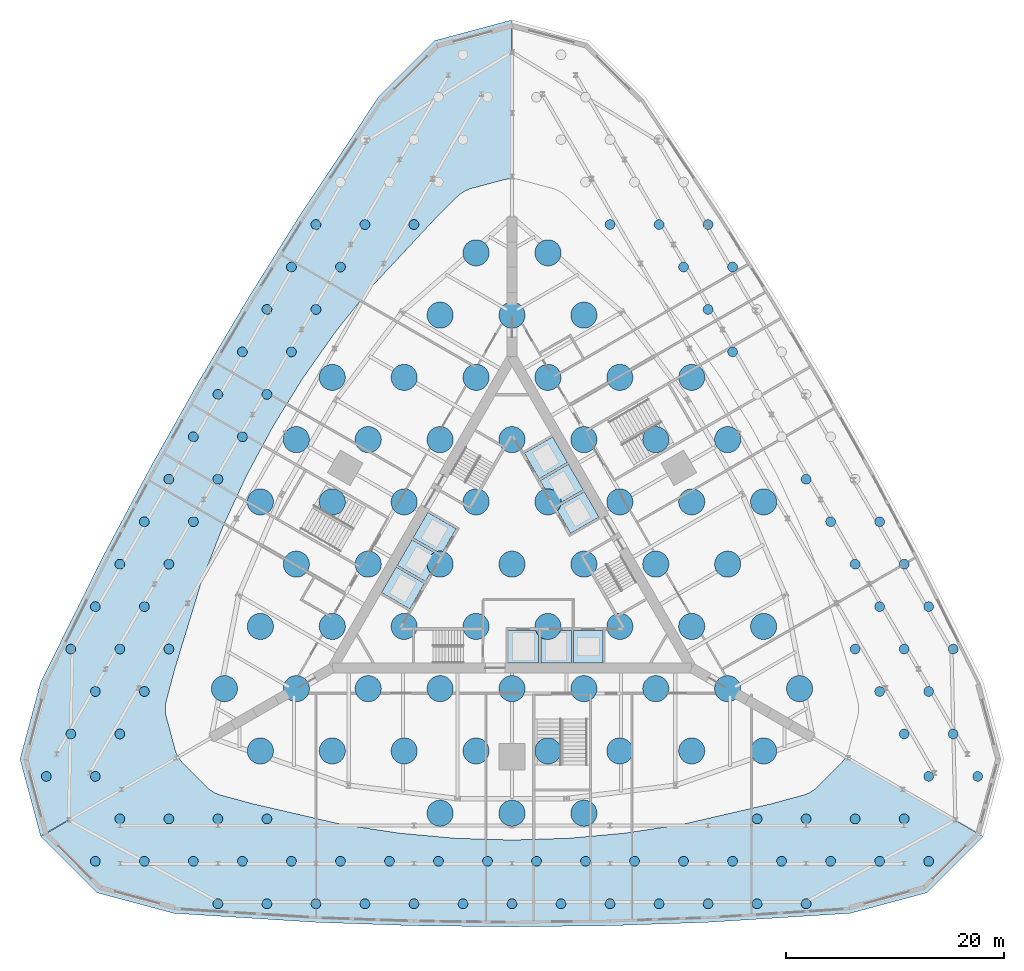
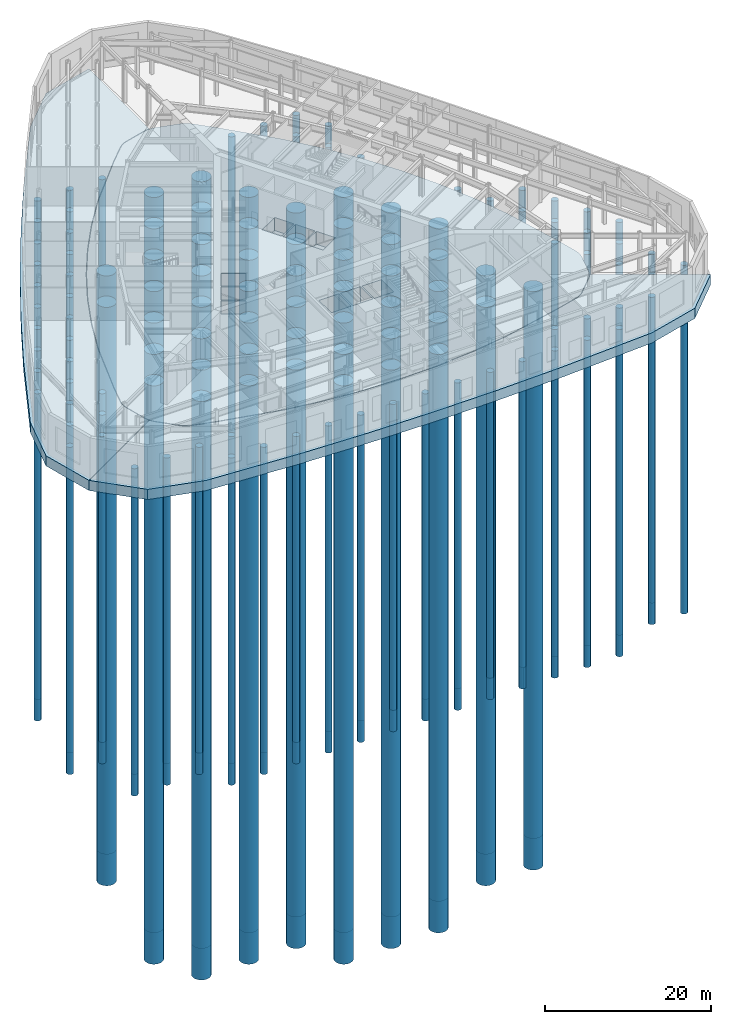
# One storey, part 1 of 17: 153 piles, 3 footings, 9 openings.
"""IFC4 building model written with IfcOpenShell, lengths in metres."""

import ifcopenshell
import ifcopenshell.guid

model = None  # the IFC model being written
_history = None  # IfcOwnerHistory: only IFC2X3 demands one
_inside = {}  # id of a spatial element -> (the spatial element, [elements in it])
_under = {}  # id of a project, library or spatial element -> (it, [spatial elements below it])
_declared = {}  # id of a project -> (the project, [libraries it declares])
_typed = {}  # id of a type object -> (the type object, [elements of that type])
_made_of = {}  # id of a material, layer set ... -> (it, [elements and type objects made of it])


def new_model(schema):
    """Start an empty IFC model of exactly this schema.

    Asked for "IFC4X3", IfcOpenShell would pick the latest addendum, in which some entities
    have other attributes; the version numbers below select the first issue.
    IFC2X3 requires an IfcOwnerHistory on every rooted entity: one is made here for all.
    """
    global model, _history
    if schema == "IFC4X3":
        model = ifcopenshell.file(schema_version=(4, 3, 0, 0))
    else:
        model = ifcopenshell.file(schema=schema)
    _inside.clear()
    _under.clear()
    _declared.clear()
    _typed.clear()
    _made_of.clear()
    _history = None
    if model.schema == "IFC2X3":
        org = make("IfcOrganization", Name="unknown")
        user = make(
            "IfcPersonAndOrganization",
            ThePerson=make("IfcPerson", FamilyName="unknown"),
            TheOrganization=org,
        )
        app = make(
            "IfcApplication",
            ApplicationDeveloper=org,
            Version="unknown",
            ApplicationFullName="unknown",
            ApplicationIdentifier="unknown",
        )
        _history = make(
            "IfcOwnerHistory",
            OwningUser=user,
            OwningApplication=app,
            ChangeAction="ADDED",
            CreationDate=0,
        )
    return model


def make(cls, **values):
    """One entity of the class cls with the attributes given. An attribute that is None is left unset."""
    return model.create_entity(
        cls, **{name: value for name, value in values.items() if value is not None}
    )


def rooted(cls, **values):
    """An entity with a GlobalId (a new one), such as an element, a storey or a relation."""
    return make(cls, GlobalId=ifcopenshell.guid.new(), OwnerHistory=_history, **values)


def si_unit(unit_type, name, prefix=None):
    """IfcSIUnit, for example si_unit("LENGTHUNIT", "METRE", prefix="MILLI")."""
    return make("IfcSIUnit", UnitType=unit_type, Prefix=prefix, Name=name)


def assignment(units):
    """IfcUnitAssignment: the units of a project."""
    return None if units is None else make("IfcUnitAssignment", Units=units)


def point(xyz):
    """IfcCartesianPoint."""
    return None if xyz is None else make("IfcCartesianPoint", Coordinates=xyz)


def direction(xyz):
    """IfcDirection."""
    return None if xyz is None else make("IfcDirection", DirectionRatios=xyz)


def frame(location, z_axis=None, x_axis=None):
    """IfcAxis2Placement3D, a coordinate frame: its origin and axes. An axis left out is left unset."""
    return make(
        "IfcAxis2Placement3D",
        Location=point(location),
        Axis=direction(z_axis),
        RefDirection=direction(x_axis),
    )


def frame_2d(location, x_axis=None):
    """IfcAxis2Placement2D, a coordinate frame in the plane: its origin and x axis."""
    return make(
        "IfcAxis2Placement2D", Location=point(location), RefDirection=direction(x_axis)
    )


def origin():
    """The frame at (0, 0, 0) with its axes left unset."""
    return frame((0.0, 0.0, 0.0))


def origin_2d():
    """The frame at (0, 0) in the plane with its x axis left unset."""
    return frame_2d((0.0, 0.0))


def place(relative_to, where):
    """IfcLocalPlacement: puts the frame where relative to a parent placement (None: the world)."""
    return make(
        "IfcLocalPlacement", PlacementRelTo=relative_to, RelativePlacement=where
    )


def context(
    kind, dimensions, precision=None, world=None, true_north=None, identifier=None
):
    """IfcGeometricRepresentationContext, for example the 3D "Model" context."""
    return make(
        "IfcGeometricRepresentationContext",
        ContextIdentifier=identifier,
        ContextType=kind,
        CoordinateSpaceDimension=dimensions,
        Precision=precision,
        WorldCoordinateSystem=world,
        TrueNorth=true_north,
    )


def subcontext(parent, identifier, kind, view, scale=None):
    """IfcGeometricRepresentationSubContext, for example "Body" below "Model"."""
    return make(
        "IfcGeometricRepresentationSubContext",
        ContextIdentifier=identifier,
        ContextType=kind,
        ParentContext=parent,
        TargetScale=scale,
        TargetView=view,
    )


def project(units=None, contexts=None):
    """IfcProject with its units and contexts."""
    return rooted(
        "IfcProject",
        Name="project",
        RepresentationContexts=contexts,
        UnitsInContext=assignment(units),
    )


def spatial(cls, under=None, at=None, **own):
    """A site, building, storey or space (cls), placed at a placement, below another one or the project."""
    s = rooted(cls, ObjectPlacement=at, **own)
    if under is not None:
        _under.setdefault(under.id(), (under, []))[1].append(s)
    return s


def polyline(points):
    """IfcPolyline through the points."""
    return make("IfcPolyline", Points=[point(p) for p in points])


def profile(cls, at=None, kind="AREA", **sizes):
    """A parametric profile (cls). Its sizes go by their IFC names, for example OverallWidth=200.0."""
    return make(cls, ProfileType=kind, Position=at, **sizes)


def circle(**sizes):
    """IfcCircleProfileDef."""
    return profile("IfcCircleProfileDef", **sizes)


def outline(outer, holes=None, kind="AREA"):
    """IfcArbitraryClosedProfileDef: a profile drawn as a closed curve; with holes, ...WithVoids."""
    if holes is None:
        return make("IfcArbitraryClosedProfileDef", ProfileType=kind, OuterCurve=outer)
    return make(
        "IfcArbitraryProfileDefWithVoids",
        ProfileType=kind,
        OuterCurve=outer,
        InnerCurves=holes,
    )


def extrude(swept, where, along, depth):
    """IfcExtrudedAreaSolid: the profile swept, set in the frame where, extruded along a direction by depth."""
    return make(
        "IfcExtrudedAreaSolid",
        SweptArea=swept,
        Position=where,
        ExtrudedDirection=direction(along),
        Depth=depth,
    )


def shape(context_of_items, identifier, shape_type, items):
    """IfcShapeRepresentation: the items that make up one representation, for example the "Body"."""
    return make(
        "IfcShapeRepresentation",
        ContextOfItems=context_of_items,
        RepresentationIdentifier=identifier,
        RepresentationType=shape_type,
        Items=items,
    )


def material(Name=None, Category=None):
    """IfcMaterial."""
    return make("IfcMaterial", Name=Name, Category=Category)


def made_of(thing, what):
    """Note that an element or type object is made of a material, layer set ...; save() writes the relation."""
    if what is not None:
        _made_of.setdefault(what.id(), (what, []))[1].append(thing)
    return thing


def type_object(cls, material=None, **own):
    """A type object (cls), such as IfcWallType, which elements share."""
    return made_of(rooted(cls, **own), material)


def element(
    cls,
    number,
    at=None,
    inside=None,
    cuts=None,
    type_object=None,
    material=None,
    context=None,
    identifier="Body",
    shape_type=None,
    held_by="IfcProductDefinitionShape",
    body=None,
    shapes=None,
    **own,
):
    """One element of the class cls, such as IfcWall. Its Tag is "e" and its number.

    at: its placement. inside: the storey or other place that contains it. cuts: it is an
    opening in that element (IfcRelVoidsElement). A single representation is given by context,
    identifier, shape_type and body (its items); several are given by shapes. held_by: the class
    of the entity that holds the representations. save() writes the other relations.
    """
    e = rooted(cls, Tag="e%d" % number, ObjectPlacement=at, **own)
    if body is not None:
        shapes = [shape(context, identifier, shape_type, body)]
    if shapes is not None:
        e.Representation = make(held_by, Representations=shapes)
    if inside is not None:
        _inside.setdefault(inside.id(), (inside, []))[1].append(e)
    if cuts is not None:
        rooted(
            "IfcRelVoidsElement", RelatingBuildingElement=cuts, RelatedOpeningElement=e
        )
    if type_object is not None:
        _typed.setdefault(type_object.id(), (type_object, []))[1].append(e)
    return made_of(e, material)


def aggregate(whole, parts):
    """IfcRelAggregates: a whole, such as a stair, and the parts it consists of."""
    return rooted("IfcRelAggregates", RelatingObject=whole, RelatedObjects=parts)


def save(model, path):
    """Write the relations noted so far, then the file.

    IfcRelAggregates (storeys below a building ...), IfcRelContainedInSpatialStructure (elements
    in a storey), IfcRelDefinesByType, IfcRelAssociatesMaterial and IfcRelDeclares: one each for
    every whole, place, type object, material and project.
    """
    for whole, parts in _under.values():
        aggregate(whole, parts)
    for where, things in _inside.values():
        rooted(
            "IfcRelContainedInSpatialStructure",
            RelatedElements=things,
            RelatingStructure=where,
        )
    for kind, things in _typed.values():
        rooted("IfcRelDefinesByType", RelatedObjects=things, RelatingType=kind)
    for what, things in _made_of.values():
        rooted("IfcRelAssociatesMaterial", RelatedObjects=things, RelatingMaterial=what)
    for by, libraries in _declared.values():
        rooted("IfcRelDeclares", RelatingContext=by, RelatedDefinitions=libraries)
    model.write(path)


model = new_model("IFC4")

# Units and contexts
model_context = context("Model", 3, precision=1e-05, world=origin(), true_north=direction((0.0, 1.0)))
body_context = subcontext(model_context, "Body", "Model", "MODEL_VIEW")
ifc_project = project(units=[si_unit("LENGTHUNIT", "METRE"), si_unit("AREAUNIT", "SQUARE_METRE"), si_unit("VOLUMEUNIT", "CUBIC_METRE"), si_unit("PLANEANGLEUNIT", "RADIAN"), si_unit("MASSUNIT", "GRAM", prefix="KILO")], contexts=[model_context])

# Site, building, storey
site_placement = place(None, origin())
site = spatial("IfcSite", under=ifc_project, at=site_placement, CompositionType="ELEMENT")
building_placement = place(site_placement, origin())
building = spatial("IfcBuilding", under=site, at=building_placement, Name="Trikona Tower", CompositionType="ELEMENT")
storey_placement = place(building_placement, origin())
storey = spatial("IfcBuildingStorey", under=building, at=storey_placement, Name="L00", CompositionType="ELEMENT", Elevation=0.0)

# Piles
ifc_material_1 = material(Name="Concrete f'c 6000 psi", Category="concrete")
pile_type_1 = type_object("IfcPileType", Name="Drilled shaft 2400", PredefinedType="BORED", material=ifc_material_1)
for number, where, z_axis, x_axis, name in (
    (1, (-6.60009765625, -22.863037109375, -4.300048828125), (0.0, 0.0, -1.0), (1.0, 0.0, 0.0), "Drilled shaft T01"),
    (2, (0.0, -22.863037109375, -4.300048828125), (0.0, 0.0, -1.0), (1.0, 0.0, 0.0), "Drilled shaft T02"),
    (3, (6.60009765625, -22.863037109375, -4.300048828125), (0.0, 0.0, -1.0), (1.0, 0.0, 0.0), "Drilled shaft T03"),
    (4, (-23.10009765625, -17.147216796875, -4.300048828125), (0.0, 0.0, -1.0), (1.0, 0.0, 0.0), "Drilled shaft T04"),
    (5, (-16.5, -17.147216796875, -4.300048828125), (0.0, 0.0, -1.0), (1.0, 0.0, 0.0), "Drilled shaft T05"),
    (6, (-9.89990234375, -17.147216796875, -4.300048828125), (0.0, 0.0, -1.0), (1.0, 0.0, 0.0), "Drilled shaft T06"),
    (7, (-3.300048828125, -17.147216796875, -4.300048828125), (0.0, 0.0, -1.0), (1.0, 0.0, 0.0), "Drilled shaft T07"),
    (8, (3.300048828125, -17.147216796875, -4.300048828125), (0.0, 0.0, -1.0), (1.0, 0.0, 0.0), "Drilled shaft T08"),
    (9, (9.89990234375, -17.147216796875, -4.300048828125), (0.0, 0.0, -1.0), (1.0, 0.0, 0.0), "Drilled shaft T09"),
    (10, (16.5, -17.147216796875, -4.300048828125), (0.0, 0.0, -1.0), (1.0, 0.0, 0.0), "Drilled shaft T10"),
    (11, (23.10009765625, -17.147216796875, -4.300048828125), (0.0, 0.0, -1.0), (1.0, 0.0, 0.0), "Drilled shaft T11"),
    (12, (-26.39990234375, -11.431396484375, -4.300048828125), (0.0, 0.0, -1.0), (1.0, 0.0, 0.0), "Drilled shaft T12"),
    (13, (-19.800048828125, -11.431396484375, -4.300048828125), (0.0, 0.0, -1.0), (1.0, 0.0, 0.0), "Drilled shaft T13"),
    (14, (-13.199951171875, -11.431396484375, -4.300048828125), (0.0, 0.0, -1.0), (1.0, 0.0, 0.0), "Drilled shaft T14"),
    (15, (-6.60009765625, -11.431396484375, -4.300048828125), (0.0, 0.0, -1.0), (1.0, 0.0, 0.0), "Drilled shaft T15"),
    (16, (0.0, -11.431396484375, -4.300048828125), (0.0, 0.0, -1.0), (1.0, 0.0, 0.0), "Drilled shaft T16"),
    (17, (6.60009765625, -11.431396484375, -4.300048828125), (0.0, 0.0, -1.0), (1.0, 0.0, 0.0), "Drilled shaft T17"),
    (18, (13.199951171875, -11.431396484375, -4.300048828125), (0.0, 0.0, -1.0), (1.0, 0.0, 0.0), "Drilled shaft T18"),
    (19, (19.800048828125, -11.431396484375, -4.300048828125), (0.0, 0.0, -1.0), (1.0, 0.0, 0.0), "Drilled shaft T19"),
    (20, (26.39990234375, -11.431396484375, -4.300048828125), (0.0, 0.0, -1.0), (1.0, 0.0, 0.0), "Drilled shaft T20"),
    (21, (-23.10009765625, -5.7158203125, -4.300048828125), (0.0, 0.0, -1.0), (1.0, 0.0, 0.0), "Drilled shaft T21"),
    (22, (-16.5, -5.7158203125, -4.300048828125), (0.0, 0.0, -1.0), (1.0, 0.0, 0.0), "Drilled shaft T22"),
    (23, (-9.89990234375, -5.7158203125, -4.300048828125), (0.0, 0.0, -1.0), (1.0, 0.0, 0.0), "Drilled shaft T23"),
    (24, (-3.300048828125, -5.7158203125, -4.300048828125), (0.0, 0.0, -1.0), (1.0, 0.0, 0.0), "Drilled shaft T24"),
    (25, (3.300048828125, -5.7158203125, -4.300048828125), (0.0, 0.0, -1.0), (1.0, 0.0, 0.0), "Drilled shaft T25"),
    (26, (9.89990234375, -5.7158203125, -4.300048828125), (0.0, 0.0, -1.0), (1.0, 0.0, 0.0), "Drilled shaft T26"),
    (27, (16.5, -5.7158203125, -4.300048828125), (0.0, 0.0, -1.0), (1.0, 0.0, 0.0), "Drilled shaft T27"),
    (28, (23.10009765625, -5.7158203125, -4.300048828125), (0.0, 0.0, -1.0), (1.0, 0.0, 0.0), "Drilled shaft T28"),
    (29, (-19.800048828125, 0.0, -4.300048828125), (0.0, 0.0, -1.0), (1.0, 0.0, 0.0), "Drilled shaft T29"),
    (30, (-13.199951171875, 0.0, -4.300048828125), (0.0, 0.0, -1.0), (1.0, 0.0, 0.0), "Drilled shaft T30"),
    (31, (-6.60009765625, 0.0, -4.300048828125), (0.0, 0.0, -1.0), (1.0, 0.0, 0.0), "Drilled shaft T31"),
    (32, (0.0, 0.0, -4.300048828125), (0.0, 0.0, -1.0), (1.0, 0.0, 0.0), "Drilled shaft T32"),
    (33, (6.60009765625, 0.0, -4.300048828125), (0.0, 0.0, -1.0), (1.0, 0.0, 0.0), "Drilled shaft T33"),
    (34, (13.199951171875, 0.0, -4.300048828125), (0.0, 0.0, -1.0), (1.0, 0.0, 0.0), "Drilled shaft T34"),
    (35, (19.800048828125, 0.0, -4.300048828125), (0.0, 0.0, -1.0), (1.0, 0.0, 0.0), "Drilled shaft T35"),
    (36, (-23.10009765625, 5.7158203125, -4.300048828125), (0.0, 0.0, -1.0), (1.0, 0.0, 0.0), "Drilled shaft T36"),
    (37, (-16.5, 5.7158203125, -4.300048828125), (0.0, 0.0, -1.0), (1.0, 0.0, 0.0), "Drilled shaft T37"),
    (38, (-9.89990234375, 5.7158203125, -4.300048828125), (0.0, 0.0, -1.0), (1.0, 0.0, 0.0), "Drilled shaft T38"),
    (39, (-3.300048828125, 5.7158203125, -4.300048828125), (0.0, 0.0, -1.0), (1.0, 0.0, 0.0), "Drilled shaft T39"),
    (40, (3.300048828125, 5.7158203125, -4.300048828125), (0.0, 0.0, -1.0), (1.0, 0.0, 0.0), "Drilled shaft T40"),
    (41, (9.89990234375, 5.7158203125, -4.300048828125), (0.0, 0.0, -1.0), (1.0, 0.0, 0.0), "Drilled shaft T41"),
    (42, (16.5, 5.7158203125, -4.300048828125), (0.0, 0.0, -1.0), (1.0, 0.0, 0.0), "Drilled shaft T42"),
    (43, (23.10009765625, 5.7158203125, -4.300048828125), (0.0, 0.0, -1.0), (1.0, 0.0, 0.0), "Drilled shaft T43"),
    (44, (-19.800048828125, 11.431396484375, -4.300048828125), (0.0, 0.0, -1.0), (1.0, 0.0, 0.0), "Drilled shaft T44"),
    (45, (-13.199951171875, 11.431396484375, -4.300048828125), (0.0, 0.0, -1.0), (1.0, 0.0, 0.0), "Drilled shaft T45"),
    (46, (-6.60009765625, 11.431396484375, -4.300048828125), (0.0, 0.0, -1.0), (1.0, 0.0, 0.0), "Drilled shaft T46"),
    (47, (0.0, 11.431396484375, -4.300048828125), (0.0, 0.0, -1.0), (1.0, 0.0, 0.0), "Drilled shaft T47"),
    (48, (6.60009765625, 11.431396484375, -4.300048828125), (0.0, 0.0, -1.0), (1.0, 0.0, 0.0), "Drilled shaft T48"),
    (49, (13.199951171875, 11.431396484375, -4.300048828125), (0.0, 0.0, -1.0), (1.0, 0.0, 0.0), "Drilled shaft T49"),
    (50, (19.800048828125, 11.431396484375, -4.300048828125), (0.0, 0.0, -1.0), (1.0, 0.0, 0.0), "Drilled shaft T50"),
    (51, (-16.5, 17.147216796875, -4.300048828125), (0.0, 0.0, -1.0), (1.0, 0.0, 0.0), "Drilled shaft T51"),
    (52, (-9.89990234375, 17.147216796875, -4.300048828125), (0.0, 0.0, -1.0), (1.0, 0.0, 0.0), "Drilled shaft T52"),
    (53, (-3.300048828125, 17.147216796875, -4.300048828125), (0.0, 0.0, -1.0), (1.0, 0.0, 0.0), "Drilled shaft T53"),
    (54, (3.300048828125, 17.147216796875, -4.300048828125), (0.0, 0.0, -1.0), (1.0, 0.0, 0.0), "Drilled shaft T54"),
    (55, (9.89990234375, 17.147216796875, -4.300048828125), (0.0, 0.0, -1.0), (1.0, 0.0, 0.0), "Drilled shaft T55"),
    (56, (16.5, 17.147216796875, -4.300048828125), (0.0, 0.0, -1.0), (1.0, 0.0, 0.0), "Drilled shaft T56"),
    (57, (-6.60009765625, 22.863037109375, -4.300048828125), (0.0, 0.0, -1.0), (1.0, 0.0, 0.0), "Drilled shaft T57"),
    (58, (0.0, 22.863037109375, -4.300048828125), (0.0, 0.0, -1.0), (1.0, 0.0, 0.0), "Drilled shaft T58"),
    (59, (6.60009765625, 22.863037109375, -4.300048828125), (0.0, 0.0, -1.0), (1.0, 0.0, 0.0), "Drilled shaft T59"),
    (60, (-3.300048828125, 28.578857421875, -4.300048828125), (0.0, 0.0, -1.0), (1.0, 0.0, 0.0), "Drilled shaft T60"),
    (61, (3.300048828125, 28.578857421875, -4.300048828125), (0.0, 0.0, -1.0), (1.0, 0.0, 0.0), "Drilled shaft T61"),
):
    element("IfcPile", number, at=place(storey_placement, frame(where, z_axis=z_axis, x_axis=x_axis)), inside=storey, type_object=pile_type_1, Name=name, PredefinedType="BORED", context=body_context, shape_type="SweptSolid", body=[
        extrude(circle(Radius=1.199951171875, at=origin_2d()), origin(), (0.0, 0.0, 1.0), 80.5),
    ])
ifc_material_2 = material(Name="Concrete f'c 6000 psi", Category="concrete")
pile_type_2 = type_object("IfcPileType", Name="Drilled shaft 900", PredefinedType="BORED", material=ifc_material_2)
for number, where, z_axis, x_axis, name in (
    (62, (-27.0, -31.177001953125, -1.800048828125), (0.0, 0.0, -1.0), (1.0, 0.0, 0.0), "Drilled shaft R1-01"),
    (63, (-22.5, -31.177001953125, -1.800048828125), (0.0, 0.0, -1.0), (1.0, 0.0, 0.0), "Drilled shaft R1-02"),
    (64, (-18.0, -31.177001953125, -1.800048828125), (0.0, 0.0, -1.0), (1.0, 0.0, 0.0), "Drilled shaft R1-03"),
    (65, (-13.5, -31.177001953125, -1.800048828125), (0.0, 0.0, -1.0), (1.0, 0.0, 0.0), "Drilled shaft R1-04"),
    (66, (-9.0, -31.177001953125, -1.800048828125), (0.0, 0.0, -1.0), (1.0, 0.0, 0.0), "Drilled shaft R1-05"),
    (67, (-4.5, -31.177001953125, -1.800048828125), (0.0, 0.0, -1.0), (1.0, 0.0, 0.0), "Drilled shaft R1-06"),
    (68, (0.0, -31.177001953125, -1.800048828125), (0.0, 0.0, -1.0), (1.0, 0.0, 0.0), "Drilled shaft R1-07"),
    (69, (4.5, -31.177001953125, -1.800048828125), (0.0, 0.0, -1.0), (1.0, 0.0, 0.0), "Drilled shaft R1-08"),
    (70, (9.0, -31.177001953125, -1.800048828125), (0.0, 0.0, -1.0), (1.0, 0.0, 0.0), "Drilled shaft R1-09"),
    (71, (13.5, -31.177001953125, -1.800048828125), (0.0, 0.0, -1.0), (1.0, 0.0, 0.0), "Drilled shaft R1-10"),
    (72, (18.0, -31.177001953125, -1.800048828125), (0.0, 0.0, -1.0), (1.0, 0.0, 0.0), "Drilled shaft R1-11"),
    (73, (22.5, -31.177001953125, -1.800048828125), (0.0, 0.0, -1.0), (1.0, 0.0, 0.0), "Drilled shaft R1-12"),
    (74, (27.0, -31.177001953125, -1.800048828125), (0.0, 0.0, -1.0), (1.0, 0.0, 0.0), "Drilled shaft R1-13"),
    (75, (-38.25, -27.27978515625, -1.800048828125), (0.0, 0.0, -1.0), (1.0, 0.0, 0.0), "Drilled shaft R1-14"),
    (76, (-33.75, -27.27978515625, -1.800048828125), (0.0, 0.0, -1.0), (1.0, 0.0, 0.0), "Drilled shaft R1-15"),
    (77, (-29.25, -27.27978515625, -1.800048828125), (0.0, 0.0, -1.0), (1.0, 0.0, 0.0), "Drilled shaft R1-16"),
    (78, (-24.75, -27.27978515625, -1.800048828125), (0.0, 0.0, -1.0), (1.0, 0.0, 0.0), "Drilled shaft R1-17"),
    (79, (-20.25, -27.27978515625, -1.800048828125), (0.0, 0.0, -1.0), (1.0, 0.0, 0.0), "Drilled shaft R1-18"),
    (80, (-15.75, -27.27978515625, -1.800048828125), (0.0, 0.0, -1.0), (1.0, 0.0, 0.0), "Drilled shaft R1-19"),
    (81, (-11.25, -27.27978515625, -1.800048828125), (0.0, 0.0, -1.0), (1.0, 0.0, 0.0), "Drilled shaft R1-20"),
    (82, (-6.75, -27.27978515625, -1.800048828125), (0.0, 0.0, -1.0), (1.0, 0.0, 0.0), "Drilled shaft R1-21"),
    (83, (-2.25, -27.27978515625, -1.800048828125), (0.0, 0.0, -1.0), (1.0, 0.0, 0.0), "Drilled shaft R1-22"),
    (84, (2.25, -27.27978515625, -1.800048828125), (0.0, 0.0, -1.0), (1.0, 0.0, 0.0), "Drilled shaft R1-23"),
    (85, (6.75, -27.27978515625, -1.800048828125), (0.0, 0.0, -1.0), (1.0, 0.0, 0.0), "Drilled shaft R1-24"),
    (86, (11.25, -27.27978515625, -1.800048828125), (0.0, 0.0, -1.0), (1.0, 0.0, 0.0), "Drilled shaft R1-25"),
    (87, (15.75, -27.27978515625, -1.800048828125), (0.0, 0.0, -1.0), (1.0, 0.0, 0.0), "Drilled shaft R1-26"),
    (88, (20.25, -27.27978515625, -1.800048828125), (0.0, 0.0, -1.0), (1.0, 0.0, 0.0), "Drilled shaft R1-27"),
    (89, (24.75, -27.27978515625, -1.800048828125), (0.0, 0.0, -1.0), (1.0, 0.0, 0.0), "Drilled shaft R1-28"),
    (90, (29.25, -27.27978515625, -1.800048828125), (0.0, 0.0, -1.0), (1.0, 0.0, 0.0), "Drilled shaft R1-29"),
    (91, (33.75, -27.27978515625, -1.800048828125), (0.0, 0.0, -1.0), (1.0, 0.0, 0.0), "Drilled shaft R1-30"),
    (92, (38.25, -27.27978515625, -1.800048828125), (0.0, 0.0, -1.0), (1.0, 0.0, 0.0), "Drilled shaft R1-31"),
    (93, (-36.0, -23.3828125, -1.800048828125), (0.0, 0.0, -1.0), (1.0, 0.0, 0.0), "Drilled shaft R1-32"),
    (94, (-31.5, -23.3828125, -1.800048828125), (0.0, 0.0, -1.0), (1.0, 0.0, 0.0), "Drilled shaft R1-33"),
    (95, (-27.0, -23.3828125, -1.800048828125), (0.0, 0.0, -1.0), (1.0, 0.0, 0.0), "Drilled shaft R1-34"),
    (96, (-22.5, -23.3828125, -1.800048828125), (0.0, 0.0, -1.0), (1.0, 0.0, 0.0), "Drilled shaft R1-35"),
    (97, (22.5, -23.3828125, -1.800048828125), (0.0, 0.0, -1.0), (1.0, 0.0, 0.0), "Drilled shaft R1-36"),
    (98, (27.0, -23.3828125, -1.800048828125), (0.0, 0.0, -1.0), (1.0, 0.0, 0.0), "Drilled shaft R1-37"),
    (99, (31.5, -23.3828125, -1.800048828125), (0.0, 0.0, -1.0), (1.0, 0.0, 0.0), "Drilled shaft R1-38"),
    (100, (36.0, -23.3828125, -1.800048828125), (0.0, 0.0, -1.0), (1.0, 0.0, 0.0), "Drilled shaft R1-39"),
    (101, (38.25, -19.485595703125, -1.800048828125), (0.0, 0.0, -1.0), (1.0, 0.0, 0.0), "Drilled shaft R2-01"),
    (102, (42.75, -19.485595703125, -1.800048828125), (0.0, 0.0, -1.0), (1.0, 0.0, 0.0), "Drilled shaft R2-02"),
    (103, (36.0, -15.58837890625, -1.800048828125), (0.0, 0.0, -1.0), (1.0, 0.0, 0.0), "Drilled shaft R2-03"),
    (104, (40.5, -15.58837890625, -1.800048828125), (0.0, 0.0, -1.0), (1.0, 0.0, 0.0), "Drilled shaft R2-04"),
    (105, (33.75, -11.69140625, -1.800048828125), (0.0, 0.0, -1.0), (1.0, 0.0, 0.0), "Drilled shaft R2-05"),
    (106, (38.25, -11.69140625, -1.800048828125), (0.0, 0.0, -1.0), (1.0, 0.0, 0.0), "Drilled shaft R2-06"),
    (107, (31.5, -7.794189453125, -1.800048828125), (0.0, 0.0, -1.0), (1.0, 0.0, 0.0), "Drilled shaft R2-07"),
    (108, (36.0, -7.794189453125, -1.800048828125), (0.0, 0.0, -1.0), (1.0, 0.0, 0.0), "Drilled shaft R2-08"),
    (109, (40.5, -7.794189453125, -1.800048828125), (0.0, 0.0, -1.0), (1.0, 0.0, 0.0), "Drilled shaft R2-09"),
    (110, (33.75, -3.897216796875, -1.800048828125), (0.0, 0.0, -1.0), (1.0, 0.0, 0.0), "Drilled shaft R2-10"),
    (111, (38.25, -3.897216796875, -1.800048828125), (0.0, 0.0, -1.0), (1.0, 0.0, 0.0), "Drilled shaft R2-11"),
    (112, (31.5, 0.0, -1.800048828125), (0.0, 0.0, -1.0), (1.0, 0.0, 0.0), "Drilled shaft R2-12"),
    (113, (36.0, 0.0, -1.800048828125), (0.0, 0.0, -1.0), (1.0, 0.0, 0.0), "Drilled shaft R2-13"),
    (114, (29.25, 3.897216796875, -1.800048828125), (0.0, 0.0, -1.0), (1.0, 0.0, 0.0), "Drilled shaft R2-14"),
    (115, (33.75, 3.897216796875, -1.800048828125), (0.0, 0.0, -1.0), (1.0, 0.0, 0.0), "Drilled shaft R2-15"),
    (116, (27.0, 7.794189453125, -1.800048828125), (0.0, 0.0, -1.0), (1.0, 0.0, 0.0), "Drilled shaft R2-16"),
    (117, (20.25, 19.485595703125, -1.800048828125), (0.0, 0.0, -1.0), (1.0, 0.0, 0.0), "Drilled shaft R2-22"),
    (118, (18.0, 23.3828125, -1.800048828125), (0.0, 0.0, -1.0), (1.0, 0.0, 0.0), "Drilled shaft R2-24"),
    (119, (15.75, 27.27978515625, -1.800048828125), (0.0, 0.0, -1.0), (1.0, 0.0, 0.0), "Drilled shaft R2-26"),
    (120, (20.25, 27.27978515625, -1.800048828125), (0.0, 0.0, -1.0), (1.0, 0.0, 0.0), "Drilled shaft R2-27"),
    (121, (9.0, 31.177001953125, -1.800048828125), (0.0, 0.0, -1.0), (1.0, 0.0, 0.0), "Drilled shaft R2-28"),
    (122, (13.5, 31.177001953125, -1.800048828125), (0.0, 0.0, -1.0), (1.0, 0.0, 0.0), "Drilled shaft R2-29"),
    (123, (18.0, 31.177001953125, -1.800048828125), (0.0, 0.0, -1.0), (1.0, 0.0, 0.0), "Drilled shaft R2-30"),
    (124, (-42.75, -19.485595703125, -1.800048828125), (0.0, 0.0, -1.0), (1.0, 0.0, 0.0), "Drilled shaft R3-01"),
    (125, (-38.25, -19.485595703125, -1.800048828125), (0.0, 0.0, -1.0), (1.0, 0.0, 0.0), "Drilled shaft R3-02"),
    (126, (-40.5, -15.58837890625, -1.800048828125), (0.0, 0.0, -1.0), (1.0, 0.0, 0.0), "Drilled shaft R3-03"),
    (127, (-36.0, -15.58837890625, -1.800048828125), (0.0, 0.0, -1.0), (1.0, 0.0, 0.0), "Drilled shaft R3-04"),
    (128, (-38.25, -11.69140625, -1.800048828125), (0.0, 0.0, -1.0), (1.0, 0.0, 0.0), "Drilled shaft R3-05"),
    (129, (-33.75, -11.69140625, -1.800048828125), (0.0, 0.0, -1.0), (1.0, 0.0, 0.0), "Drilled shaft R3-06"),
    (130, (-40.5, -7.794189453125, -1.800048828125), (0.0, 0.0, -1.0), (1.0, 0.0, 0.0), "Drilled shaft R3-07"),
    (131, (-36.0, -7.794189453125, -1.800048828125), (0.0, 0.0, -1.0), (1.0, 0.0, 0.0), "Drilled shaft R3-08"),
    (132, (-31.5, -7.794189453125, -1.800048828125), (0.0, 0.0, -1.0), (1.0, 0.0, 0.0), "Drilled shaft R3-09"),
    (133, (-38.25, -3.897216796875, -1.800048828125), (0.0, 0.0, -1.0), (1.0, 0.0, 0.0), "Drilled shaft R3-10"),
    (134, (-33.75, -3.897216796875, -1.800048828125), (0.0, 0.0, -1.0), (1.0, 0.0, 0.0), "Drilled shaft R3-11"),
    (135, (-36.0, 0.0, -1.800048828125), (0.0, 0.0, -1.0), (1.0, 0.0, 0.0), "Drilled shaft R3-12"),
    (136, (-31.5, 0.0, -1.800048828125), (0.0, 0.0, -1.0), (1.0, 0.0, 0.0), "Drilled shaft R3-13"),
    (137, (-33.75, 3.897216796875, -1.800048828125), (0.0, 0.0, -1.0), (1.0, 0.0, 0.0), "Drilled shaft R3-14"),
    (138, (-29.25, 3.897216796875, -1.800048828125), (0.0, 0.0, -1.0), (1.0, 0.0, 0.0), "Drilled shaft R3-15"),
    (139, (-31.5, 7.794189453125, -1.800048828125), (0.0, 0.0, -1.0), (1.0, 0.0, 0.0), "Drilled shaft R3-16"),
    (140, (-27.0, 7.794189453125, -1.800048828125), (0.0, 0.0, -1.0), (1.0, 0.0, 0.0), "Drilled shaft R3-17"),
    (141, (-29.25, 11.69140625, -1.800048828125), (0.0, 0.0, -1.0), (1.0, 0.0, 0.0), "Drilled shaft R3-18"),
    (142, (-24.75, 11.69140625, -1.800048828125), (0.0, 0.0, -1.0), (1.0, 0.0, 0.0), "Drilled shaft R3-19"),
    (143, (-27.0, 15.58837890625, -1.800048828125), (0.0, 0.0, -1.0), (1.0, 0.0, 0.0), "Drilled shaft R3-20"),
    (144, (-22.5, 15.58837890625, -1.800048828125), (0.0, 0.0, -1.0), (1.0, 0.0, 0.0), "Drilled shaft R3-21"),
    (145, (-24.75, 19.485595703125, -1.800048828125), (0.0, 0.0, -1.0), (1.0, 0.0, 0.0), "Drilled shaft R3-22"),
    (146, (-20.25, 19.485595703125, -1.800048828125), (0.0, 0.0, -1.0), (1.0, 0.0, 0.0), "Drilled shaft R3-23"),
    (147, (-22.5, 23.3828125, -1.800048828125), (0.0, 0.0, -1.0), (1.0, 0.0, 0.0), "Drilled shaft R3-24"),
    (148, (-18.0, 23.3828125, -1.800048828125), (0.0, 0.0, -1.0), (1.0, 0.0, 0.0), "Drilled shaft R3-25"),
    (149, (-20.25, 27.27978515625, -1.800048828125), (0.0, 0.0, -1.0), (1.0, 0.0, 0.0), "Drilled shaft R3-26"),
    (150, (-15.75, 27.27978515625, -1.800048828125), (0.0, 0.0, -1.0), (1.0, 0.0, 0.0), "Drilled shaft R3-27"),
    (151, (-18.0, 31.177001953125, -1.800048828125), (0.0, 0.0, -1.0), (1.0, 0.0, 0.0), "Drilled shaft R3-28"),
    (152, (-13.5, 31.177001953125, -1.800048828125), (0.0, 0.0, -1.0), (1.0, 0.0, 0.0), "Drilled shaft R3-29"),
    (153, (-9.0, 31.177001953125, -1.800048828125), (0.0, 0.0, -1.0), (1.0, 0.0, 0.0), "Drilled shaft R3-30"),
):
    element("IfcPile", number, at=place(storey_placement, frame(where, z_axis=z_axis, x_axis=x_axis)), inside=storey, type_object=pile_type_2, Name=name, PredefinedType="BORED", context=body_context, shape_type="SweptSolid", body=[
        extrude(circle(Radius=0.449951171875, at=origin_2d()), origin(), (0.0, 0.0, 1.0), 45.0),
    ])

# Footing, openings
ifc_material_3 = material(Name="Concrete f'c 8000 psi", Category="concrete")
footing_type_1 = type_object("IfcFootingType", Name="Piled mat 4000", PredefinedType="PILE_CAP", material=ifc_material_3)
footing_1_placement = place(storey_placement, frame((0.0, 0.0, -4.300048828125)))
footing_1 = element("IfcFooting", 154, at=footing_1_placement, inside=storey, type_object=footing_type_1, Name="Tower piled mat", PredefinedType="PILE_CAP", context=body_context, shape_type="SweptSolid", body=[
    extrude(outline(polyline([(-23.7763671875, -21.950439453125), (-23.676025390625, -21.975341796875), (-15.676025390625, -23.82568359375), (-15.451416015625, -23.868896484375), (-10.451416015625, -24.6298828125), (-10.272705078125, -24.651611328125), (-5.272705078125, -25.10791015625), (-5.09130859375, -25.118896484375), (-0.09130859375, -25.271240234375), (0.09130859375, -25.271240234375), (5.09130859375, -25.118896484375), (5.272705078125, -25.10791015625), (10.272705078125, -24.651611328125), (10.451416015625, -24.6298828125), (15.451416015625, -23.868896484375), (15.676025390625, -23.82568359375), (23.676025390625, -21.975341796875), (23.7763671875, -21.950439453125), (26.6630859375, -21.177001953125), (26.9619140625, -21.079833984375), (27.248779296875, -20.9521484375), (27.520751953125, -20.795166015625), (27.77490234375, -20.610595703125), (28.00830078125, -20.400390625), (30.121337890625, -18.287109375), (30.33154296875, -18.0537109375), (30.51611328125, -17.7998046875), (30.673095703125, -17.52783203125), (30.80078125, -17.240966796875), (30.897705078125, -16.9423828125), (31.67138671875, -14.0556640625), (31.736572265625, -13.748291015625), (31.769287109375, -13.43603515625), (31.769287109375, -13.1220703125), (31.736572265625, -12.809814453125), (31.67138671875, -12.502685546875), (30.897705078125, -9.615966796875), (30.869384765625, -9.516357421875), (28.4716796875, -1.6630859375), (28.396728515625, -1.447021484375), (26.5556640625, 3.263671875), (26.485107421875, 3.42919921875), (24.380615234375, 7.98779296875), (24.29931640625, 8.150390625), (21.93115234375, 12.556640625), (21.83984375, 12.714599609375), (19.2080078125, 16.96875), (19.107666015625, 17.120361328125), (16.21240234375, 21.22216796875), (16.104248046875, 21.365966796875), (12.9453125, 25.315673828125), (12.795654296875, 25.48876953125), (7.193115234375, 31.49169921875), (7.121337890625, 31.566162109375), (5.008056640625, 33.679443359375), (4.77490234375, 33.889404296875), (4.520751953125, 34.07421875), (4.248779296875, 34.231201171875), (3.9619140625, 34.35888671875), (3.6630859375, 34.455810546875), (0.7763671875, 35.2294921875), (0.46923828125, 35.294677734375), (0.156982421875, 35.327392578125), (-0.156982421875, 35.327392578125), (-0.46923828125, 35.294677734375), (-0.7763671875, 35.2294921875), (-3.6630859375, 34.455810546875), (-3.9619140625, 34.35888671875), (-4.248779296875, 34.231201171875), (-4.520751953125, 34.07421875), (-4.77490234375, 33.889404296875), (-5.008056640625, 33.679443359375), (-7.121337890625, 31.566162109375), (-7.193115234375, 31.49169921875), (-12.795654296875, 25.48876953125), (-12.9453125, 25.315673828125), (-16.104248046875, 21.365966796875), (-16.21240234375, 21.22216796875), (-19.107666015625, 17.120361328125), (-19.2080078125, 16.96875), (-21.83984375, 12.714599609375), (-21.93115234375, 12.556640625), (-24.29931640625, 8.150390625), (-24.380615234375, 7.98779296875), (-26.485107421875, 3.42919921875), (-26.5556640625, 3.263671875), (-28.396728515625, -1.447021484375), (-28.4716796875, -1.6630859375), (-30.869384765625, -9.516357421875), (-30.897705078125, -9.615966796875), (-31.67138671875, -12.502685546875), (-31.736572265625, -12.809814453125), (-31.769287109375, -13.1220703125), (-31.769287109375, -13.43603515625), (-31.736572265625, -13.748291015625), (-31.67138671875, -14.0556640625), (-30.897705078125, -16.9423828125), (-30.80078125, -17.240966796875), (-30.673095703125, -17.52783203125), (-30.51611328125, -17.7998046875), (-30.33154296875, -18.0537109375), (-30.121337890625, -18.287109375), (-28.00830078125, -20.400390625), (-27.77490234375, -20.610595703125), (-27.520751953125, -20.795166015625), (-27.248779296875, -20.9521484375), (-26.9619140625, -21.079833984375), (-26.6630859375, -21.177001953125), (-23.7763671875, -21.950439453125)])), origin(), (0.0, 0.0, 1.0), 4.0),
])
opening_1_placement = place(footing_1_placement, frame((0.0, 0.0, 1.10009765625)))
element("IfcOpeningElement", 155, at=opening_1_placement, cuts=footing_1, Name="Lift pit FF1", PredefinedType="RECESS", context=body_context, shape_type="SweptSolid", body=[
    extrude(outline(polyline([(-0.35009765625, -6.076416015625), (2.449951171875, -6.076416015625), (2.449951171875, -9.076416015625), (-0.35009765625, -9.076416015625), (-0.35009765625, -6.076416015625)])), origin(), (0.0, 0.0, 1.0), 2.909912109375),
])
opening_2_placement = place(footing_1_placement, frame((0.0, 0.0, 1.10009765625)))
element("IfcOpeningElement", 156, at=opening_2_placement, cuts=footing_1, Name="Lift pit FF2", PredefinedType="RECESS", context=body_context, shape_type="SweptSolid", body=[
    extrude(outline(polyline([(2.64990234375, -6.076416015625), (5.449951171875, -6.076416015625), (5.449951171875, -9.076416015625), (2.64990234375, -9.076416015625), (2.64990234375, -6.076416015625)])), origin(), (0.0, 0.0, 1.0), 2.909912109375),
])
opening_3_placement = place(footing_1_placement, frame((0.0, 0.0, 1.10009765625)))
element("IfcOpeningElement", 157, at=opening_3_placement, cuts=footing_1, Name="Lift pit OB1", PredefinedType="RECESS", context=body_context, shape_type="SweptSolid", body=[
    extrude(outline(polyline([(5.64990234375, -6.076416015625), (8.35009765625, -6.076416015625), (8.35009765625, -9.076416015625), (5.64990234375, -9.076416015625), (5.64990234375, -6.076416015625)])), origin(), (0.0, 0.0, 1.0), 2.909912109375),
])
opening_4_placement = place(footing_1_placement, frame((0.0, 0.0, 1.10009765625)))
element("IfcOpeningElement", 158, at=opening_4_placement, cuts=footing_1, Name="Lift pit OB2", PredefinedType="RECESS", context=body_context, shape_type="SweptSolid", body=[
    extrude(outline(polyline([(-8.037109375, -1.768310546875), (-9.38720703125, -4.106689453125), (-11.9853515625, -2.606689453125), (-10.63525390625, -0.268310546875), (-8.037109375, -1.768310546875)])), origin(), (0.0, 0.0, 1.0), 2.909912109375),
])
opening_5_placement = place(footing_1_placement, frame((0.0, 0.0, 1.10009765625)))
element("IfcOpeningElement", 159, at=opening_5_placement, cuts=footing_1, Name="Lift pit SH1", PredefinedType="RECESS", context=body_context, shape_type="SweptSolid", body=[
    extrude(outline(polyline([(-5.13720703125, 3.254638671875), (-6.4873046875, 0.91650390625), (-9.085205078125, 2.41650390625), (-7.7353515625, 4.754638671875), (-5.13720703125, 3.254638671875)])), origin(), (0.0, 0.0, 1.0), 2.909912109375),
])
opening_6_placement = place(footing_1_placement, frame((0.0, 0.0, 1.10009765625)))
element("IfcOpeningElement", 160, at=opening_6_placement, cuts=footing_1, Name="Lift pit SH2", PredefinedType="RECESS", context=body_context, shape_type="SweptSolid", body=[
    extrude(outline(polyline([(-6.587158203125, 0.7431640625), (-7.937255859375, -1.59521484375), (-10.535400390625, -0.09521484375), (-9.185302734375, 2.2431640625), (-6.587158203125, 0.7431640625)])), origin(), (0.0, 0.0, 1.0), 2.909912109375),
])
opening_7_placement = place(footing_1_placement, frame((0.0, 0.0, 2.10009765625)))
element("IfcOpeningElement", 161, at=opening_7_placement, cuts=footing_1, Name="Lift pit L1-1", PredefinedType="RECESS", context=body_context, shape_type="SweptSolid", body=[
    extrude(outline(polyline([(5.38720703125, 2.821533203125), (4.037109375, 5.159912109375), (6.63525390625, 6.659912109375), (7.9853515625, 4.321533203125), (5.38720703125, 2.821533203125)])), origin(), (0.0, 0.0, 1.0), 1.909912109375),
])
opening_8_placement = place(footing_1_placement, frame((0.0, 0.0, 2.10009765625)))
element("IfcOpeningElement", 162, at=opening_8_placement, cuts=footing_1, Name="Lift pit L1-2", PredefinedType="RECESS", context=body_context, shape_type="SweptSolid", body=[
    extrude(outline(polyline([(3.937255859375, 5.3330078125), (2.587158203125, 7.67138671875), (5.185302734375, 9.17138671875), (6.535400390625, 6.8330078125), (3.937255859375, 5.3330078125)])), origin(), (0.0, 0.0, 1.0), 1.909912109375),
])
opening_9_placement = place(footing_1_placement, frame((0.0, 0.0, 2.10009765625)))
element("IfcOpeningElement", 163, at=opening_9_placement, cuts=footing_1, Name="Lift pit L1-3", PredefinedType="RECESS", context=body_context, shape_type="SweptSolid", body=[
    extrude(outline(polyline([(2.4873046875, 7.844482421875), (1.13720703125, 10.182861328125), (3.7353515625, 11.682861328125), (5.085205078125, 9.344482421875), (2.4873046875, 7.844482421875)])), origin(), (0.0, 0.0, 1.0), 1.909912109375),
])

# Footings
ifc_material_4 = material(Name="Concrete f'c 6000 psi", Category="concrete")
footing_type_2 = type_object("IfcFootingType", Name="Podium piled raft 1500", PredefinedType="PILE_CAP", material=ifc_material_4)
footing_2_placement = place(storey_placement, frame((0.0, 0.0, -1.800048828125)))
element("IfcFooting", 164, at=footing_2_placement, inside=storey, type_object=footing_type_2, Name="Podium piled raft 1", PredefinedType="PILE_CAP", context=body_context, shape_type="SweptSolid", body=[
    extrude(outline(polyline([(-43.250732421875, -24.999755859375), (-38.08349609375, -30.1669921875), (-31.048828125, -32.0517578125), (-18.0146484375, -32.8759765625), (-9.007080078125, -33.189697265625), (0.0, -33.294189453125), (9.007080078125, -33.189697265625), (18.0146484375, -32.8759765625), (31.048828125, -32.0517578125), (38.08349609375, -30.1669921875), (43.250732421875, -24.999755859375), (30.625244140625, -17.71044921875), (30.556396484375, -17.8291015625), (30.371826171875, -18.0830078125), (30.15673828125, -18.322509765625), (28.04345703125, -20.435791015625), (27.80419921875, -20.65087890625), (27.545654296875, -20.83837890625), (27.26904296875, -20.997802734375), (26.977294921875, -21.12744140625), (26.6787109375, -21.224365234375), (23.789306640625, -21.998779296875), (23.688232421875, -22.02392578125), (15.685546875, -23.875), (15.458984375, -23.918212890625), (10.458984375, -24.67919921875), (10.27734375, -24.701416015625), (5.27587890625, -25.157958984375), (5.0927734375, -25.1689453125), (0.0927734375, -25.3212890625), (-0.09130859375, -25.3212890625), (-5.0927734375, -25.1689453125), (-5.27587890625, -25.157958984375), (-10.27734375, -24.701416015625), (-10.458984375, -24.67919921875), (-15.458984375, -23.918212890625), (-15.685546875, -23.875), (-23.688232421875, -22.02392578125), (-23.789306640625, -21.998779296875), (-26.6787109375, -21.224365234375), (-26.977294921875, -21.12744140625), (-27.26904296875, -20.997802734375), (-27.545654296875, -20.83837890625), (-27.80419921875, -20.65087890625), (-28.04345703125, -20.435791015625), (-30.15673828125, -18.322509765625), (-30.371826171875, -18.0830078125), (-30.556396484375, -17.8291015625), (-30.625244140625, -17.71044921875), (-43.250732421875, -24.999755859375)])), origin(), (0.0, 0.0, 1.0), 1.5),
])
footing_3_placement = place(storey_placement, frame((0.0, 0.0, -1.800048828125)))
element("IfcFooting", 165, at=footing_3_placement, inside=storey, type_object=footing_type_2, Name="Podium piled raft 3", PredefinedType="PILE_CAP", context=body_context, shape_type="SweptSolid", body=[
    extrude(outline(polyline([(-45.1669921875, -17.89794921875), (-43.275634765625, -24.956298828125), (-30.650390625, -17.6669921875), (-30.71875, -17.548095703125), (-30.846435546875, -17.26123046875), (-30.946044921875, -16.955078125), (-31.719482421875, -14.068603515625), (-31.786376953125, -13.753662109375), (-31.8193359375, -13.43603515625), (-31.8193359375, -13.1220703125), (-31.786376953125, -12.8046875), (-31.72021484375, -12.4921875), (-30.946044921875, -9.602783203125), (-30.917236328125, -9.502685546875), (-28.51904296875, -1.646484375), (-28.443359375, -1.4287109375), (-26.602294921875, 3.281982421875), (-26.530517578125, 3.4501953125), (-24.42529296875, 8.010009765625), (-24.34326171875, 8.174072265625), (-21.974365234375, 12.58154296875), (-21.88232421875, 12.740966796875), (-19.25048828125, 16.9951171875), (-19.1494140625, 17.14794921875), (-16.25341796875, 21.2509765625), (-16.143310546875, 21.397216796875), (-12.984375, 25.346923828125), (-12.83349609375, 25.521484375), (-7.229248046875, 31.526611328125), (-7.15673828125, 31.6015625), (-5.04150390625, 33.716552734375), (-4.80810546875, 33.9267578125), (-4.550048828125, 34.114501953125), (-4.273681640625, 34.2744140625), (-3.982177734375, 34.404541015625), (-3.67626953125, 34.504150390625), (-0.789306640625, 35.277587890625), (-0.474609375, 35.344482421875), (-0.162109375, 35.377197265625), (-0.02490234375, 35.37744140625), (-0.02490234375, 49.9560546875), (-7.08349609375, 48.064697265625), (-12.2333984375, 42.914794921875), (-19.464111328125, 32.039306640625), (-24.23974609375, 24.39501953125), (-28.833740234375, 16.647216796875), (-33.24658203125, 8.79443359375), (-37.478759765625, 0.836669921875), (-43.281982421875, -10.86328125), (-45.1669921875, -17.89794921875)])), origin(), (0.0, 0.0, 1.0), 1.5),
])

save(model, "model.ifc")
